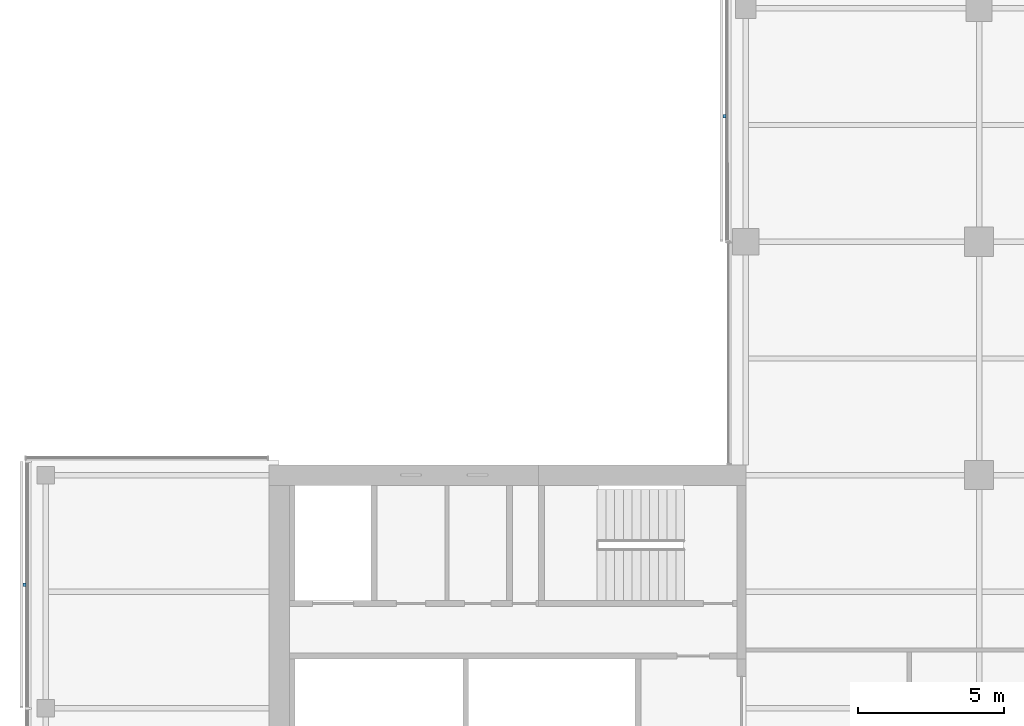
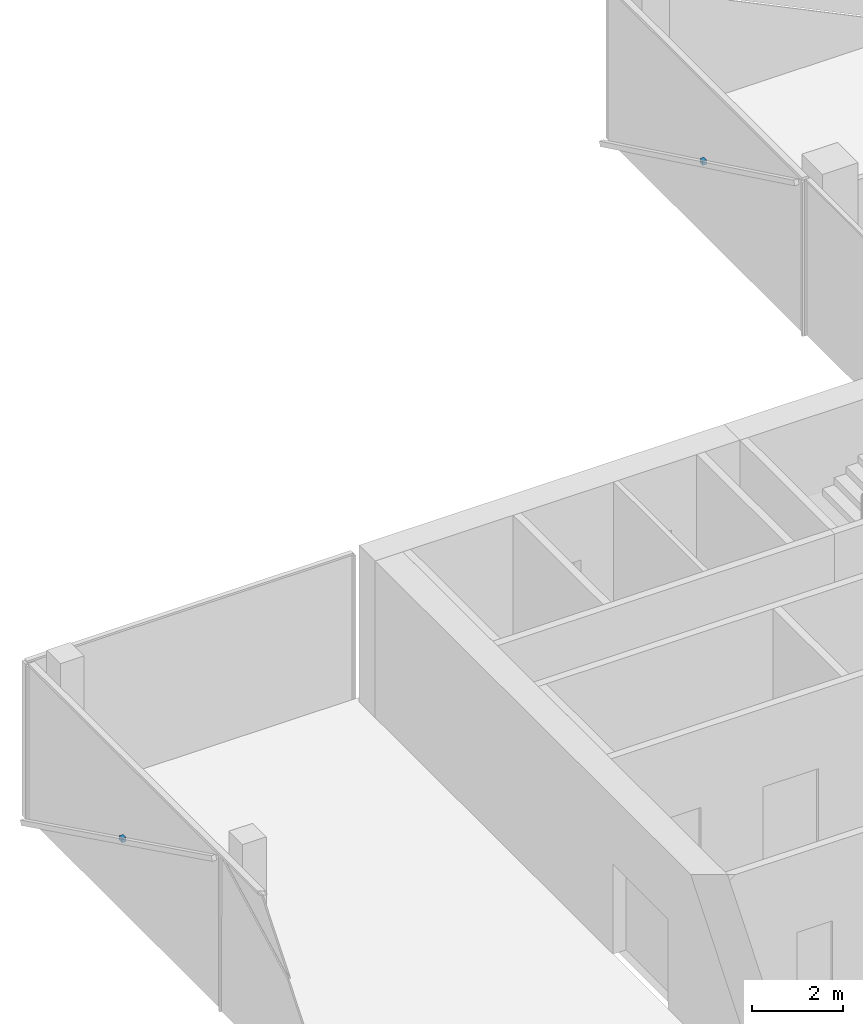
# One storey, part 19 of 22: 2 discrete accessories.
"""IFC4 building model written with IfcOpenShell, lengths in metres."""

from ifc_helpers import new_model, si_unit, direction, frame, origin, origin_2d, place, context, subcontext, project, spatial, rectangle, extrude, material, type_object, element, save


model = new_model("IFC4")

# Units and contexts
model_context = context("Model", 3, precision=1e-05, world=origin(), true_north=direction((0.0, 1.0)))
body_context = subcontext(model_context, "Body", "Model", "MODEL_VIEW")
ifc_project = project(units=[si_unit("LENGTHUNIT", "METRE"), si_unit("AREAUNIT", "SQUARE_METRE"), si_unit("VOLUMEUNIT", "CUBIC_METRE"), si_unit("PLANEANGLEUNIT", "RADIAN"), si_unit("MASSUNIT", "GRAM", prefix="KILO")], contexts=[model_context])

# Site, building, storey
site_placement = place(None, origin())
site = spatial("IfcSite", under=ifc_project, at=site_placement, CompositionType="ELEMENT")
building_placement = place(site_placement, origin())
building = spatial("IfcBuilding", under=site, at=building_placement, Name="Crosswind Convention Tower", CompositionType="ELEMENT")
storey_placement = place(building_placement, frame((0.0, 0.0, 150.5)))
storey = spatial("IfcBuildingStorey", under=building, at=storey_placement, Name="L31", CompositionType="ELEMENT", Elevation=150.5)

# Discrete accessories
ifc_material = material(Name="Stainless steel", Category="steel")
discrete_accessory_type = type_object("IfcDiscreteAccessoryType", Name="BAGUETTE BRACKET BK3", PredefinedType="BRACKET", material=ifc_material)
for number, where, z_axis, x_axis, name in (
    (1, (112.27392578125, 124.304931640625, 1.704833984375), (0.0, 0.0, 1.0), (0.0, -1.0, 0.0), "BK3 baguette bracket"),
    (2, (88.27392578125, 108.232421875, 1.704833984375), (0.0, 0.0, 1.0), (0.0, -1.0, 0.0), "BK3 baguette bracket"),
):
    element("IfcDiscreteAccessory", number, at=place(storey_placement, frame(where, z_axis=z_axis, x_axis=x_axis)), inside=storey, type_object=discrete_accessory_type, Name=name, PredefinedType="BRACKET", context=body_context, shape_type="SweptSolid", body=[
        extrude(rectangle(XDim=0.1201171875, YDim=0.10009765625, at=origin_2d()), origin(), (0.0, 0.0, 1.0), 0.1201171875),
    ])

save(model, "model.ifc")
